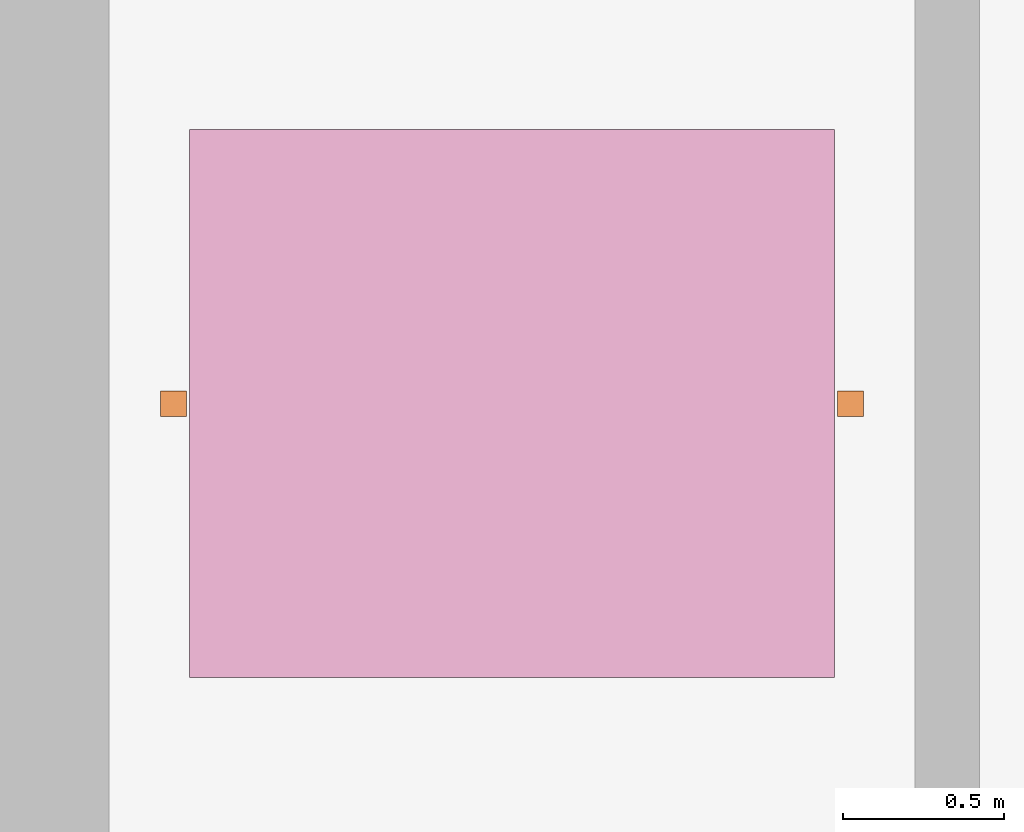
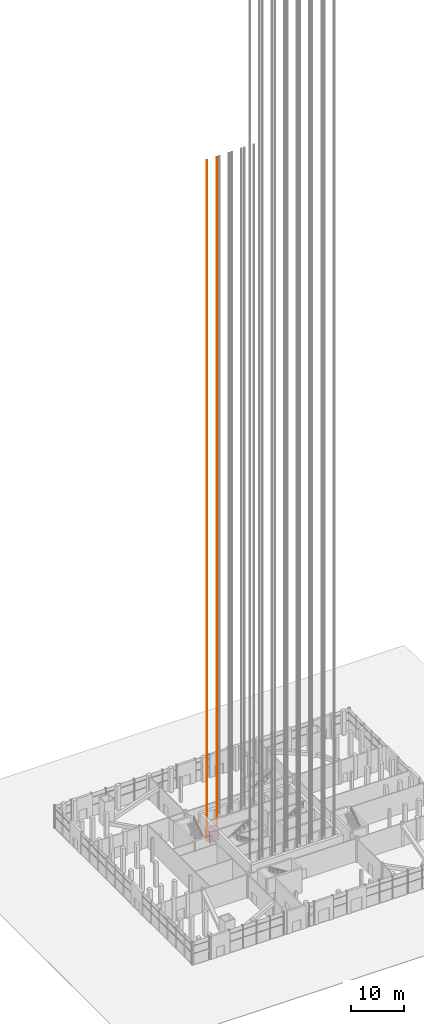
# One storey, part 24 of 27: 2 proxies, 1 transport element.
"""IFC4 building model written with IfcOpenShell, lengths in metres."""

from ifc_helpers import new_model, si_unit, direction, frame, origin, origin_2d, place, context, subcontext, project, spatial, rectangle, extrude, material, type_object, element, aggregate, save


model = new_model("IFC4")

# Units and contexts
model_context = context("Model", 3, precision=1e-05, world=origin(), true_north=direction((0.0, 1.0)))
body_context = subcontext(model_context, "Body", "Model", "MODEL_VIEW")
ifc_project = project(units=[si_unit("LENGTHUNIT", "METRE"), si_unit("AREAUNIT", "SQUARE_METRE"), si_unit("VOLUMEUNIT", "CUBIC_METRE"), si_unit("PLANEANGLEUNIT", "RADIAN"), si_unit("MASSUNIT", "GRAM", prefix="KILO")], contexts=[model_context])

# Site, building, storey
site_placement = place(None, origin())
site = spatial("IfcSite", under=ifc_project, at=site_placement, CompositionType="ELEMENT")
building_placement = place(site_placement, origin())
building = spatial("IfcBuilding", under=site, at=building_placement, Name="Turquesa Mirador Hotel Tower", CompositionType="ELEMENT")
storey_placement = place(building_placement, origin())
storey = spatial("IfcBuildingStorey", under=building, at=storey_placement, Name="L00", CompositionType="ELEMENT", Elevation=0.0)

# Transport element, proxies
ifc_material_1 = material(Name="Stainless steel lift car", Category="steel")
transport_element_type = type_object("IfcTransportElementType", Name="PASSENGER LIFT 1600 KG", PredefinedType="ELEVATOR", material=ifc_material_1)
transport_element_placement = place(storey_placement, frame((46.85009765625, 53.050048828125, 0.0), z_axis=(0.0, 0.0, 1.0), x_axis=(1.0, 0.0, 0.0)))
transport_element = element("IfcTransportElement", 1, at=transport_element_placement, inside=storey, type_object=transport_element_type, Name="Lift A1", PredefinedType="ELEVATOR", context=body_context, shape_type="SweptSolid", body=[
    extrude(rectangle(XDim=2.0, YDim=1.699951171875, at=origin_2d()), origin(), (0.0, 0.0, 1.0), 2.39990234375),
])
ifc_material_2 = material(Name="Steel ASTM A992 Grade 50", Category="steel")
building_element_proxy_type = type_object("IfcBuildingElementProxyType", Name="LIFT GUIDE RAIL 80X80", PredefinedType="USERDEFINED", material=ifc_material_2)
proxy_1_placement = place(storey_placement, frame((45.800048828125, 53.050048828125, 0.0), z_axis=(0.0, 0.0, 1.0), x_axis=(1.0, 0.0, 0.0)))
proxy_1 = element("IfcBuildingElementProxy", 2, at=proxy_1_placement, type_object=building_element_proxy_type, Name="Lift A1 guide rail 1", ObjectType="LIFT GUIDE RAIL", PredefinedType="USERDEFINED", context=body_context, shape_type="SweptSolid", body=[
    extrude(rectangle(XDim=0.080078125, YDim=0.080078125, at=origin_2d()), origin(), (0.0, 0.0, 1.0), 156.1201171875),
])
proxy_2_placement = place(storey_placement, frame((47.89990234375, 53.050048828125, 0.0), z_axis=(0.0, 0.0, 1.0), x_axis=(1.0, 0.0, 0.0)))
proxy_2 = element("IfcBuildingElementProxy", 3, at=proxy_2_placement, type_object=building_element_proxy_type, Name="Lift A1 guide rail 2", ObjectType="LIFT GUIDE RAIL", PredefinedType="USERDEFINED", context=body_context, shape_type="SweptSolid", body=[
    extrude(rectangle(XDim=0.080078125, YDim=0.080078125, at=origin_2d()), origin(), (0.0, 0.0, 1.0), 156.1201171875),
])
aggregate(transport_element, [proxy_1, proxy_2])

save(model, "model.ifc")
